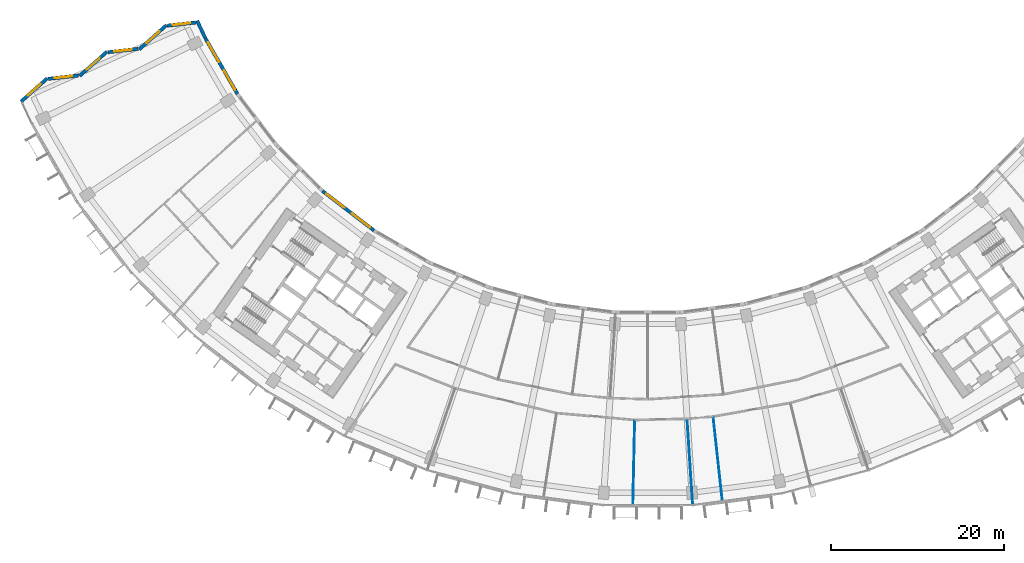
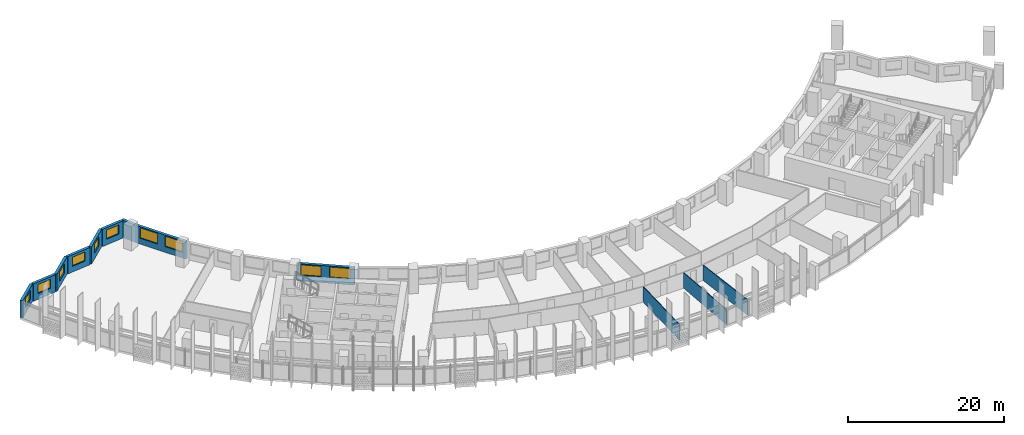
# One storey, part 5 of 30: 12 walls, 10 windows, 10 openings.
"""IFC4 building model written with IfcOpenShell, lengths in metres."""

from ifc_helpers import new_model, si_unit, direction, frame, frame_2d, origin, place, context, subcontext, project, spatial, rectangle, extrude, material, layer, layer_set, type_object, element, fill, save


model = new_model("IFC4")

# Units and contexts
model_context = context("Model", 3, precision=1e-05, world=origin(), true_north=direction((0.0, 1.0)))
body_context = subcontext(model_context, "Body", "Model", "MODEL_VIEW")
ifc_project = project(units=[si_unit("LENGTHUNIT", "METRE"), si_unit("AREAUNIT", "SQUARE_METRE"), si_unit("VOLUMEUNIT", "CUBIC_METRE"), si_unit("PLANEANGLEUNIT", "RADIAN"), si_unit("MASSUNIT", "GRAM", prefix="KILO")], contexts=[model_context])

# Site, building, storey
site_placement = place(None, origin())
site = spatial("IfcSite", under=ifc_project, at=site_placement, CompositionType="ELEMENT")
building_placement = place(site_placement, origin())
building = spatial("IfcBuilding", under=site, at=building_placement, Name="Qamariyya Broadcast Tower", CompositionType="ELEMENT")
storey_placement = place(building_placement, frame((0.0, 0.0, 125.300048828125)))
storey = spatial("IfcBuildingStorey", under=building, at=storey_placement, Name="L28", CompositionType="ELEMENT", Elevation=125.300048828125)

# Walls
ifc_material_1 = material(Name="Gypsum board partition")
ifc_layer_1 = layer(ifc_material_1, 0.10009765625)
ifc_layer_set_1 = layer_set([ifc_layer_1], Name="Partition 100")
wall_type_1 = type_object("IfcWallType", Name="Partition 100", PredefinedType="PARTITIONING", material=ifc_layer_set_1)
wall_1_placement = place(storey_placement, frame((-1.724365234375, -78.93017578125, 0.0), z_axis=(0.0, 0.0, 1.0), x_axis=(0.021829960086, 0.999761698027, 0.0)))
element("IfcWall", 1, at=wall_1_placement, inside=storey, type_object=wall_type_1, Name="Partition L28-022", PredefinedType="PARTITIONING", context=body_context, shape_type="SweptSolid", body=[
    extrude(rectangle(XDim=9.673828125, YDim=0.10009765625, at=frame_2d((4.8369140625, 0.0))), origin(), (0.0, 0.0, 1.0), 2.39990234375),
])
wall_2_placement = place(storey_placement, frame((5.17333984375, -78.9306640625, 0.0), z_axis=(0.0, 0.0, 1.0), x_axis=(-0.065402415744, 0.997858970003, 0.0)))
element("IfcWall", 2, at=wall_2_placement, inside=storey, type_object=wall_type_1, Name="Partition L28-027", PredefinedType="PARTITIONING", context=body_context, shape_type="SweptSolid", body=[
    extrude(rectangle(XDim=9.824951171875, YDim=0.10009765625, at=frame_2d((4.91259765625, 0.0))), origin(), (0.0, 0.0, 1.0), 2.39990234375),
])
wall_3_placement = place(storey_placement, frame((8.5927734375, -78.47998046875, 0.0), z_axis=(0.0, 0.0, 1.0), x_axis=(-0.10884699726, 0.994058514972, 0.0)))
element("IfcWall", 3, at=wall_3_placement, inside=storey, type_object=wall_type_1, Name="Partition L28-030", PredefinedType="PARTITIONING", context=body_context, shape_type="SweptSolid", body=[
    extrude(rectangle(XDim=9.673828125, YDim=0.10009765625, at=frame_2d((4.8369140625, 0.0))), origin(), (0.0, 0.0, 1.0), 2.39990234375),
])

# Wall, opening, window
ifc_material_2 = material(Name="Terracotta", Category="masonry")
ifc_layer_2 = layer(ifc_material_2, 0.39990234375)
ifc_layer_set_2 = layer_set([ifc_layer_2], Name="Terracotta clad wall 400")
wall_type_2 = type_object("IfcWallType", Name="Terracotta clad wall 400", PredefinedType="SOLIDWALL", material=ifc_layer_set_2)
wall_4_placement = place(storey_placement, frame((-52.1513671875, -23.339111328125, 0.0), z_axis=(0.0, 0.0, 1.0), x_axis=(-0.993930004507, -0.110014299711, 0.0)))
wall_4 = element("IfcWall", 4, at=wall_4_placement, inside=storey, type_object=wall_type_2, Name="e-wl-L28-capW0", PredefinedType="SOLIDWALL", context=body_context, shape_type="SweptSolid", body=[
    extrude(rectangle(XDim=3.275390625, YDim=0.39990234375, at=frame_2d((1.6376953125, 0.0))), origin(), (0.0, 0.0, 1.0), 2.699951171875),
])
opening_1_placement = place(wall_4_placement, frame((0.6376953125, 0.0, 0.89990234375)))
opening_1 = element("IfcOpeningElement", 5, at=opening_1_placement, cuts=wall_4, Name="Opening W4", PredefinedType="OPENING", context=body_context, shape_type="SweptSolid", body=[
    extrude(rectangle(XDim=2.0, YDim=1.425048828125, at=frame_2d((1.0, 0.71240234375))), frame((0.0, 0.2099609375, 0.0), z_axis=(0.0, -1.0, 0.0), x_axis=(1.0, 0.0, 0.0)), (0.0, 0.0, 1.0), 0.419921875),
])
ifc_material_3 = material(Name="Clear low-e double glazed unit in aluminium frame", Category="aluminium")
window_type_1 = type_object("IfcWindowType", Name="Horn bay window 2000 x 1425", PartitioningType="SINGLE_PANEL", PredefinedType="WINDOW", material=ifc_material_3)
window_1_placement = place(opening_1_placement, origin())
window_1 = element("IfcWindow", 6, at=window_1_placement, inside=storey, type_object=window_type_1, Name="e-w-L28-capW0", OverallHeight=1.425048828125, OverallWidth=2.0, PartitioningType="SINGLE_PANEL", PredefinedType="WINDOW", context=body_context, shape_type="SweptSolid", body=[
    extrude(rectangle(XDim=2.0, YDim=1.425048828125, at=frame_2d((1.0, 0.71240234375))), frame((0.0, 0.030029296875, 0.0), z_axis=(0.0, -1.0, 0.0), x_axis=(1.0, 0.0, 0.0)), (0.0, 0.0, 1.0), 0.06005859375),
])
fill(opening_1, window_1)

wall_5_placement = place(storey_placement, frame((-55.529052734375, -23.646240234375, 0.0), z_axis=(0.0, 0.0, 1.0), x_axis=(-0.747142711447, -0.664663650827, 0.0)))
wall_5 = element("IfcWall", 7, at=wall_5_placement, inside=storey, type_object=wall_type_2, Name="e-wl-L28-capW1", PredefinedType="SOLIDWALL", context=body_context, shape_type="SweptSolid", body=[
    extrude(rectangle(XDim=4.1943359375, YDim=0.39990234375, at=frame_2d((2.09716796875, 0.0))), origin(), (0.0, 0.0, 1.0), 2.699951171875),
])
opening_2_placement = place(wall_5_placement, frame((1.09716796875, 0.0, 0.89990234375)))
opening_2 = element("IfcOpeningElement", 8, at=opening_2_placement, cuts=wall_5, Name="Opening W4", PredefinedType="OPENING", context=body_context, shape_type="SweptSolid", body=[
    extrude(rectangle(XDim=2.0, YDim=1.425048828125, at=frame_2d((1.0, 0.71240234375))), frame((0.0, 0.2099609375, 0.0), z_axis=(0.0, -1.0, 0.0), x_axis=(1.0, 0.0, 0.0)), (0.0, 0.0, 1.0), 0.419921875),
])
window_2_placement = place(opening_2_placement, origin())
window_2 = element("IfcWindow", 9, at=window_2_placement, inside=storey, type_object=window_type_1, Name="e-w-L28-capW1", OverallHeight=1.425048828125, OverallWidth=2.0, PartitioningType="SINGLE_PANEL", PredefinedType="WINDOW", context=body_context, shape_type="SweptSolid", body=[
    extrude(rectangle(XDim=2.0, YDim=1.425048828125, at=frame_2d((1.0, 0.71240234375))), frame((0.0, 0.030029296875, 0.0), z_axis=(0.0, -1.0, 0.0), x_axis=(1.0, 0.0, 0.0)), (0.0, 0.0, 1.0), 0.06005859375),
])
fill(opening_2, window_2)

wall_6_placement = place(storey_placement, frame((-58.784912109375, -26.380615234375, 0.0), z_axis=(0.0, 0.0, 1.0), x_axis=(-0.993916634656, -0.110135023284, 0.0)))
wall_6 = element("IfcWall", 10, at=wall_6_placement, inside=storey, type_object=wall_type_2, Name="e-wl-L28-capW2", PredefinedType="SOLIDWALL", context=body_context, shape_type="SweptSolid", body=[
    extrude(rectangle(XDim=3.524658203125, YDim=0.39990234375, at=frame_2d((1.76220703125, 0.0))), origin(), (0.0, 0.0, 1.0), 2.699951171875),
])
opening_3_placement = place(wall_6_placement, frame((0.762451171875, 0.0, 0.89990234375)))
opening_3 = element("IfcOpeningElement", 11, at=opening_3_placement, cuts=wall_6, Name="Opening W4", PredefinedType="OPENING", context=body_context, shape_type="SweptSolid", body=[
    extrude(rectangle(XDim=2.0, YDim=1.425048828125, at=frame_2d((1.0, 0.71240234375))), frame((0.0, 0.2099609375, 0.0), z_axis=(0.0, -1.0, 0.0), x_axis=(1.0, 0.0, 0.0)), (0.0, 0.0, 1.0), 0.419921875),
])
window_3_placement = place(opening_3_placement, origin())
window_3 = element("IfcWindow", 12, at=window_3_placement, inside=storey, type_object=window_type_1, Name="e-w-L28-capW2", OverallHeight=1.425048828125, OverallWidth=2.0, PartitioningType="SINGLE_PANEL", PredefinedType="WINDOW", context=body_context, shape_type="SweptSolid", body=[
    extrude(rectangle(XDim=2.0, YDim=1.425048828125, at=frame_2d((1.0, 0.71240234375))), frame((0.0, 0.030029296875, 0.0), z_axis=(0.0, -1.0, 0.0), x_axis=(1.0, 0.0, 0.0)), (0.0, 0.0, 1.0), 0.06005859375),
])
fill(opening_3, window_3)

wall_7_placement = place(storey_placement, frame((-62.41015625, -26.71533203125, 0.0), z_axis=(0.0, 0.0, 1.0), x_axis=(-0.747043010544, -0.664775706834, 0.0)))
wall_7 = element("IfcWall", 13, at=wall_7_placement, inside=storey, type_object=wall_type_2, Name="e-wl-L28-capW3", PredefinedType="SOLIDWALL", context=body_context, shape_type="SweptSolid", body=[
    extrude(rectangle(XDim=4.193359375, YDim=0.39990234375, at=frame_2d((2.0966796875, 0.0))), origin(), (0.0, 0.0, 1.0), 2.699951171875),
])
opening_4_placement = place(wall_7_placement, frame((1.0966796875, 0.0, 0.89990234375)))
opening_4 = element("IfcOpeningElement", 14, at=opening_4_placement, cuts=wall_7, Name="Opening W4", PredefinedType="OPENING", context=body_context, shape_type="SweptSolid", body=[
    extrude(rectangle(XDim=2.0, YDim=1.425048828125, at=frame_2d((1.0, 0.71240234375))), frame((0.0, 0.2099609375, 0.0), z_axis=(0.0, -1.0, 0.0), x_axis=(1.0, 0.0, 0.0)), (0.0, 0.0, 1.0), 0.419921875),
])
window_4_placement = place(opening_4_placement, origin())
window_4 = element("IfcWindow", 15, at=window_4_placement, inside=storey, type_object=window_type_1, Name="e-w-L28-capW3", OverallHeight=1.425048828125, OverallWidth=2.0, PartitioningType="SINGLE_PANEL", PredefinedType="WINDOW", context=body_context, shape_type="SweptSolid", body=[
    extrude(rectangle(XDim=2.0, YDim=1.425048828125, at=frame_2d((1.0, 0.71240234375))), frame((0.0, 0.030029296875, 0.0), z_axis=(0.0, -1.0, 0.0), x_axis=(1.0, 0.0, 0.0)), (0.0, 0.0, 1.0), 0.06005859375),
])
fill(opening_4, window_4)

wall_8_placement = place(storey_placement, frame((-65.664794921875, -29.449462890625, 0.0), z_axis=(0.0, 0.0, 1.0), x_axis=(-0.993913253996, -0.110165527874, 0.0)))
wall_8 = element("IfcWall", 16, at=wall_8_placement, inside=storey, type_object=wall_type_2, Name="e-wl-L28-capW4", PredefinedType="SOLIDWALL", context=body_context, shape_type="SweptSolid", body=[
    extrude(rectangle(XDim=3.52587890625, YDim=0.39990234375, at=frame_2d((1.762939453125, 0.0))), origin(), (0.0, 0.0, 1.0), 2.699951171875),
])
opening_5_placement = place(wall_8_placement, frame((0.762939453125, 0.0, 0.89990234375)))
opening_5 = element("IfcOpeningElement", 17, at=opening_5_placement, cuts=wall_8, Name="Opening W4", PredefinedType="OPENING", context=body_context, shape_type="SweptSolid", body=[
    extrude(rectangle(XDim=2.0, YDim=1.425048828125, at=frame_2d((1.0, 0.71240234375))), frame((0.0, 0.2099609375, 0.0), z_axis=(0.0, -1.0, 0.0), x_axis=(1.0, 0.0, 0.0)), (0.0, 0.0, 1.0), 0.419921875),
])
window_5_placement = place(opening_5_placement, origin())
window_5 = element("IfcWindow", 18, at=window_5_placement, inside=storey, type_object=window_type_1, Name="e-w-L28-capW4", OverallHeight=1.425048828125, OverallWidth=2.0, PartitioningType="SINGLE_PANEL", PredefinedType="WINDOW", context=body_context, shape_type="SweptSolid", body=[
    extrude(rectangle(XDim=2.0, YDim=1.425048828125, at=frame_2d((1.0, 0.71240234375))), frame((0.0, 0.030029296875, 0.0), z_axis=(0.0, -1.0, 0.0), x_axis=(1.0, 0.0, 0.0)), (0.0, 0.0, 1.0), 0.06005859375),
])
fill(opening_5, window_5)

wall_9_placement = place(storey_placement, frame((-69.291015625, -29.78466796875, 0.0), z_axis=(0.0, 0.0, 1.0), x_axis=(-0.747029965142, -0.664790366341, 0.0)))
wall_9 = element("IfcWall", 19, at=wall_9_placement, inside=storey, type_object=wall_type_2, Name="e-wl-L28-capW5", PredefinedType="SOLIDWALL", context=body_context, shape_type="SweptSolid", body=[
    extrude(rectangle(XDim=4.013671875, YDim=0.39990234375, at=frame_2d((2.0068359375, 0.0))), origin(), (0.0, 0.0, 1.0), 2.699951171875),
])
opening_6_placement = place(wall_9_placement, frame((1.0068359375, 0.0, 0.89990234375)))
opening_6 = element("IfcOpeningElement", 20, at=opening_6_placement, cuts=wall_9, Name="Opening W4", PredefinedType="OPENING", context=body_context, shape_type="SweptSolid", body=[
    extrude(rectangle(XDim=2.0, YDim=1.425048828125, at=frame_2d((1.0, 0.71240234375))), frame((0.0, 0.2099609375, 0.0), z_axis=(0.0, -1.0, 0.0), x_axis=(1.0, 0.0, 0.0)), (0.0, 0.0, 1.0), 0.419921875),
])
window_6_placement = place(opening_6_placement, origin())
window_6 = element("IfcWindow", 21, at=window_6_placement, inside=storey, type_object=window_type_1, Name="e-w-L28-capW5", OverallHeight=1.425048828125, OverallWidth=2.0, PartitioningType="SINGLE_PANEL", PredefinedType="WINDOW", context=body_context, shape_type="SweptSolid", body=[
    extrude(rectangle(XDim=2.0, YDim=1.425048828125, at=frame_2d((1.0, 0.71240234375))), frame((0.0, 0.030029296875, 0.0), z_axis=(0.0, -1.0, 0.0), x_axis=(1.0, 0.0, 0.0)), (0.0, 0.0, 1.0), 0.06005859375),
])
fill(opening_6, window_6)

# Wall
wall_10_placement = place(storey_placement, frame((-51.023681640625, -25.18408203125, 0.0), z_axis=(0.0, 0.0, 1.0), x_axis=(-0.424937869402, 0.90522251803, 0.0)))
element("IfcWall", 22, at=wall_10_placement, inside=storey, type_object=wall_type_2, Name="e-wl-L28-in00", PredefinedType="SOLIDWALL", context=body_context, shape_type="SweptSolid", body=[
    extrude(rectangle(XDim=2.258544921875, YDim=0.39990234375, at=frame_2d((1.12939453125, 0.0))), origin(), (0.0, 0.0, 1.0), 2.699951171875),
])

# Wall, openings, windows
wall_11_placement = place(storey_placement, frame((-47.33642578125, -31.568359375, 0.0), z_axis=(0.0, 0.0, 1.0), x_axis=(-0.499980071345, 0.866036909293, 0.0)))
wall_11 = element("IfcWall", 23, at=wall_11_placement, inside=storey, type_object=wall_type_2, Name="e-wl-L28-in10", PredefinedType="SOLIDWALL", context=body_context, shape_type="SweptSolid", body=[
    extrude(rectangle(XDim=7.355712890625, YDim=0.39990234375, at=frame_2d((3.677734375, 0.0))), origin(), (0.0, 0.0, 1.0), 2.699951171875),
])
opening_7_placement = place(wall_11_placement, frame((4.224853515625, 0.0, 0.89990234375)))
opening_7 = element("IfcOpeningElement", 24, at=opening_7_placement, cuts=wall_11, Name="Opening W1", PredefinedType="OPENING", context=body_context, shape_type="SweptSolid", body=[
    extrude(rectangle(XDim=2.60009765625, YDim=1.64990234375, at=frame_2d((1.300048828125, 0.824951171875))), frame((0.0, 0.2099609375, 0.0), z_axis=(0.0, -1.0, 0.0), x_axis=(1.0, 0.0, 0.0)), (0.0, 0.0, 1.0), 0.419921875),
])
opening_8_placement = place(wall_11_placement, frame((0.5166015625, 0.0, 0.89990234375)))
opening_8 = element("IfcOpeningElement", 25, at=opening_8_placement, cuts=wall_11, Name="Opening W1", PredefinedType="OPENING", context=body_context, shape_type="SweptSolid", body=[
    extrude(rectangle(XDim=2.60009765625, YDim=1.64990234375, at=frame_2d((1.300048828125, 0.824951171875))), frame((0.0, 0.2099609375, 0.0), z_axis=(0.0, -1.0, 0.0), x_axis=(1.0, 0.0, 0.0)), (0.0, 0.0, 1.0), 0.419921875),
])
window_type_2 = type_object("IfcWindowType", Name="Ribbon window 2600 x 1650", PartitioningType="SINGLE_PANEL", PredefinedType="WINDOW", material=ifc_material_3)
window_7_placement = place(opening_7_placement, origin())
window_7 = element("IfcWindow", 26, at=window_7_placement, inside=storey, type_object=window_type_2, Name="e-w-L28-in01-0", OverallHeight=1.64990234375, OverallWidth=2.60009765625, PartitioningType="SINGLE_PANEL", PredefinedType="WINDOW", context=body_context, shape_type="SweptSolid", body=[
    extrude(rectangle(XDim=2.60009765625, YDim=1.64990234375, at=frame_2d((1.300048828125, 0.824951171875))), frame((0.0, 0.030029296875, 0.0), z_axis=(0.0, -1.0, 0.0), x_axis=(1.0, 0.0, 0.0)), (0.0, 0.0, 1.0), 0.06005859375),
])
fill(opening_7, window_7)
window_8_placement = place(opening_8_placement, origin())
window_8 = element("IfcWindow", 27, at=window_8_placement, inside=storey, type_object=window_type_2, Name="e-w-L28-in01-1", OverallHeight=1.64990234375, OverallWidth=2.60009765625, PartitioningType="SINGLE_PANEL", PredefinedType="WINDOW", context=body_context, shape_type="SweptSolid", body=[
    extrude(rectangle(XDim=2.60009765625, YDim=1.64990234375, at=frame_2d((1.300048828125, 0.824951171875))), frame((0.0, 0.030029296875, 0.0), z_axis=(0.0, -1.0, 0.0), x_axis=(1.0, 0.0, 0.0)), (0.0, 0.0, 1.0), 0.06005859375),
])
fill(opening_8, window_8)

wall_12_placement = place(storey_placement, frame((-31.59228515625, -47.326171875, 0.0), z_axis=(0.0, 0.0, 1.0), x_axis=(-0.793363487476, 0.608748204711, 0.0)))
wall_12 = element("IfcWall", 28, at=wall_12_placement, inside=storey, type_object=wall_type_2, Name="e-wl-L28-in40", PredefinedType="SOLIDWALL", context=body_context, shape_type="SweptSolid", body=[
    extrude(rectangle(XDim=7.492919921875, YDim=0.39990234375, at=frame_2d((3.74658203125, 0.0))), origin(), (0.0, 0.0, 1.0), 2.699951171875),
])
opening_9_placement = place(wall_12_placement, frame((4.300537109375, 0.0, 0.89990234375)))
opening_9 = element("IfcOpeningElement", 29, at=opening_9_placement, cuts=wall_12, Name="Opening W1", PredefinedType="OPENING", context=body_context, shape_type="SweptSolid", body=[
    extrude(rectangle(XDim=2.60009765625, YDim=1.64990234375, at=frame_2d((1.300048828125, 0.824951171875))), frame((0.0, 0.2099609375, 0.0), z_axis=(0.0, -1.0, 0.0), x_axis=(1.0, 0.0, 0.0)), (0.0, 0.0, 1.0), 0.419921875),
])
opening_10_placement = place(wall_12_placement, frame((0.59228515625, 0.0, 0.89990234375)))
opening_10 = element("IfcOpeningElement", 30, at=opening_10_placement, cuts=wall_12, Name="Opening W1", PredefinedType="OPENING", context=body_context, shape_type="SweptSolid", body=[
    extrude(rectangle(XDim=2.60009765625, YDim=1.64990234375, at=frame_2d((1.300048828125, 0.824951171875))), frame((0.0, 0.2099609375, 0.0), z_axis=(0.0, -1.0, 0.0), x_axis=(1.0, 0.0, 0.0)), (0.0, 0.0, 1.0), 0.419921875),
])
window_9_placement = place(opening_9_placement, origin())
window_9 = element("IfcWindow", 31, at=window_9_placement, inside=storey, type_object=window_type_2, Name="e-w-L28-in04-0", OverallHeight=1.64990234375, OverallWidth=2.60009765625, PartitioningType="SINGLE_PANEL", PredefinedType="WINDOW", context=body_context, shape_type="SweptSolid", body=[
    extrude(rectangle(XDim=2.60009765625, YDim=1.64990234375, at=frame_2d((1.300048828125, 0.824951171875))), frame((0.0, 0.030029296875, 0.0), z_axis=(0.0, -1.0, 0.0), x_axis=(1.0, 0.0, 0.0)), (0.0, 0.0, 1.0), 0.06005859375),
])
fill(opening_9, window_9)
window_10_placement = place(opening_10_placement, origin())
window_10 = element("IfcWindow", 32, at=window_10_placement, inside=storey, type_object=window_type_2, Name="e-w-L28-in04-1", OverallHeight=1.64990234375, OverallWidth=2.60009765625, PartitioningType="SINGLE_PANEL", PredefinedType="WINDOW", context=body_context, shape_type="SweptSolid", body=[
    extrude(rectangle(XDim=2.60009765625, YDim=1.64990234375, at=frame_2d((1.300048828125, 0.824951171875))), frame((0.0, 0.030029296875, 0.0), z_axis=(0.0, -1.0, 0.0), x_axis=(1.0, 0.0, 0.0)), (0.0, 0.0, 1.0), 0.06005859375),
])
fill(opening_10, window_10)

save(model, "model.ifc")
